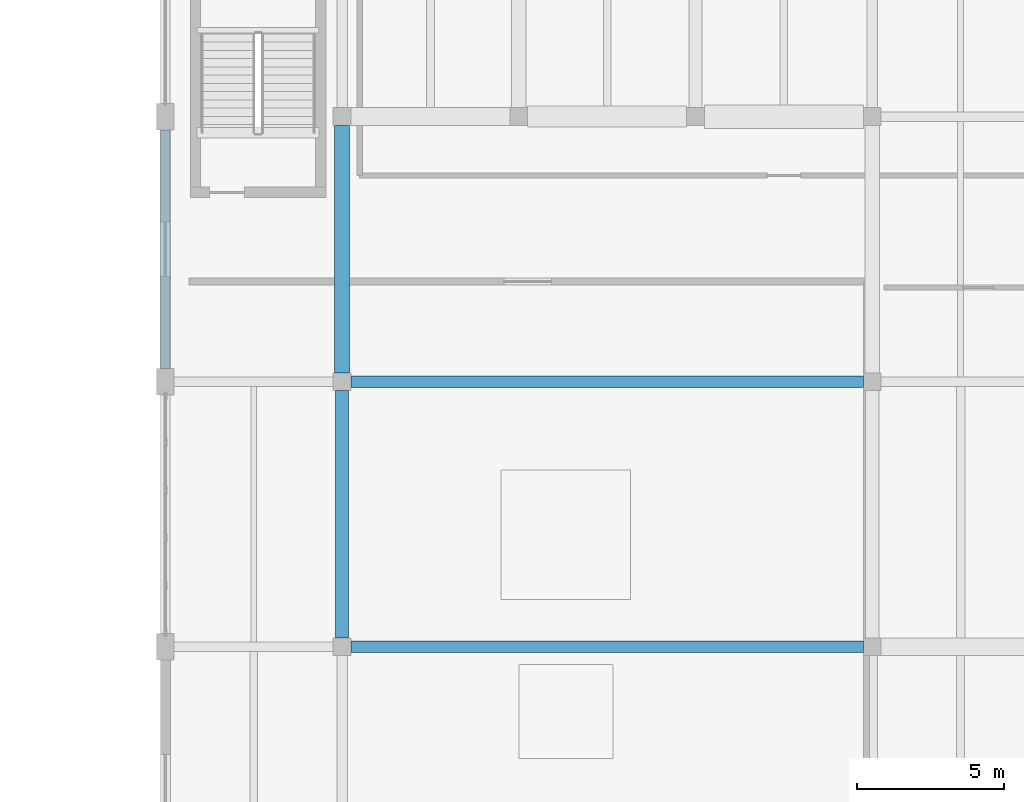
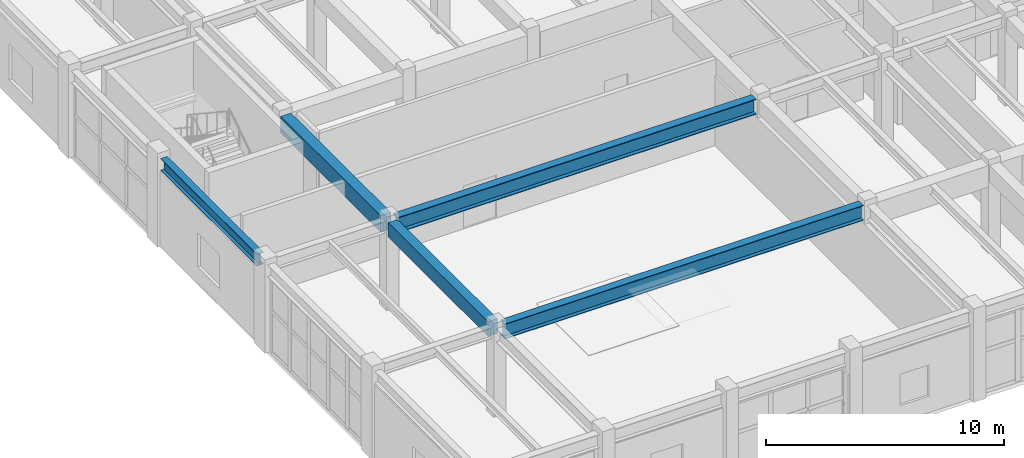
# One storey, part 10 of 85: 5 beams.
"""IFC4 building model written with IfcOpenShell, lengths in metres."""

from ifc_helpers import new_model, si_unit, direction, frame, origin, origin_2d, place, context, subcontext, project, spatial, rectangle, i_section, extrude, material, material_profile, profile_set, type_object, element, save


model = new_model("IFC4")

# Units and contexts
model_context = context("Model", 3, precision=1e-05, world=origin(), true_north=direction((0.0, 1.0)))
body_context = subcontext(model_context, "Body", "Model", "MODEL_VIEW")
ifc_project = project(units=[si_unit("LENGTHUNIT", "METRE"), si_unit("AREAUNIT", "SQUARE_METRE"), si_unit("VOLUMEUNIT", "CUBIC_METRE"), si_unit("PLANEANGLEUNIT", "RADIAN"), si_unit("MASSUNIT", "GRAM", prefix="KILO")], contexts=[model_context])

# Site, building, storey
site_placement = place(None, origin())
site = spatial("IfcSite", under=ifc_project, at=site_placement, CompositionType="ELEMENT")
building_placement = place(site_placement, origin())
building = spatial("IfcBuilding", under=site, at=building_placement, Name="Vaelkrest Opera House", CompositionType="ELEMENT")
storey_placement = place(building_placement, frame((0.0, 0.0, 10.199951171875)))
storey = spatial("IfcBuildingStorey", under=building, at=storey_placement, Name="L02", CompositionType="ELEMENT", Elevation=10.199951171875)

# Beams
ifc_material_1 = material(Name="Concrete C50/60", Category="concrete")
ifc_material_profile_1 = material_profile(ifc_material_1, rectangle(XDim=0.449951171875, YDim=0.75, at=origin_2d()), Name="RCB450X750")
ifc_profile_set_1 = profile_set([ifc_material_profile_1], Name="Concrete C50/60")
beam_type_1 = type_object("IfcBeamType", Name="B02", PredefinedType="BEAM", material=ifc_profile_set_1)
beam_1_placement = place(storey_placement, frame((-69.60009765625, -7.5, 4.130126953125), z_axis=(0.0, 1.0, 0.0), x_axis=(-1.0, 0.0, 0.0)))
element("IfcBeam", 1, at=beam_1_placement, inside=storey, type_object=beam_type_1, Name="Beam BM-V3-L02-1671", PredefinedType="BEAM", context=body_context, shape_type="SweptSolid", body=[
    extrude(rectangle(XDim=0.449951171875, YDim=0.75, at=origin_2d()), origin(), (0.0, 0.0, 1.0), 8.39990234375),
])
ifc_material_profile_2 = material_profile(ifc_material_1, rectangle(XDim=0.5, YDim=0.85009765625, at=origin_2d()), Name="RCB500X850")
ifc_profile_set_2 = profile_set([ifc_material_profile_2], Name="Concrete C50/60")
beam_type_2 = type_object("IfcBeamType", Name="B03", PredefinedType="BEAM", material=ifc_profile_set_2)
beam_2_placement = place(storey_placement, frame((-69.60009765625, 1.5, 4.080078125), z_axis=(0.0, 1.0, 0.0), x_axis=(-1.0, 0.0, 0.0)))
element("IfcBeam", 2, at=beam_2_placement, inside=storey, type_object=beam_type_2, Name="Beam BM-V3-L02-1672", PredefinedType="BEAM", context=body_context, shape_type="SweptSolid", body=[
    extrude(rectangle(XDim=0.5, YDim=0.85009765625, at=origin_2d()), origin(), (0.0, 0.0, 1.0), 8.39990234375),
])
ifc_material_2 = material(Name="Steel A992 Gr50", Category="steel")
ifc_material_profile_3 = material_profile(ifc_material_2, i_section(OverallWidth=0.381103515625, OverallDepth=0.77294921875, WebThickness=0.0166015625, FlangeThickness=0.027099609375, at=origin_2d()), Name="W30X173")
ifc_profile_set_3 = profile_set([ifc_material_profile_3], Name="Steel A992 Gr50")
beam_type_3 = type_object("IfcBeamType", Name="B11", PredefinedType="BEAM", material=ifc_profile_set_3)
beam_3_placement = place(storey_placement, frame((-69.300048828125, -7.800048828125, 4.11865234375), z_axis=(1.0, 0.0, 0.0), x_axis=(0.0, 1.0, 0.0)))
element("IfcBeam", 3, at=beam_3_placement, inside=storey, type_object=beam_type_3, Name="Beam BM-V3-L02-1629", PredefinedType="BEAM", context=body_context, shape_type="SweptSolid", body=[
    extrude(i_section(OverallWidth=0.381103515625, OverallDepth=0.77294921875, WebThickness=0.0166015625, FlangeThickness=0.027099609375, at=origin_2d()), origin(), (0.0, 0.0, 1.0), 17.400146484375),
])
ifc_material_profile_4 = material_profile(ifc_material_2, i_section(OverallWidth=0.384033203125, OverallDepth=0.785888671875, WebThickness=0.019775390625, FlangeThickness=0.033447265625, at=origin_2d()), Name="W30X211")
ifc_profile_set_4 = profile_set([ifc_material_profile_4], Name="Steel A992 Gr50")
beam_type_4 = type_object("IfcBeamType", Name="B16", PredefinedType="BEAM", material=ifc_profile_set_4)
beam_4_placement = place(storey_placement, frame((-69.300048828125, 1.199951171875, 4.112060546875), z_axis=(1.0, 0.0, 0.0), x_axis=(0.0, 1.0, 0.0)))
element("IfcBeam", 4, at=beam_4_placement, inside=storey, type_object=beam_type_4, Name="Beam BM-V3-L02-1634", PredefinedType="BEAM", context=body_context, shape_type="SweptSolid", body=[
    extrude(i_section(OverallWidth=0.384033203125, OverallDepth=0.785888671875, WebThickness=0.019775390625, FlangeThickness=0.033447265625, at=origin_2d()), origin(), (0.0, 0.0, 1.0), 17.400146484375),
])
ifc_material_profile_5 = material_profile(ifc_material_2, i_section(OverallWidth=0.323974609375, OverallDepth=0.611083984375, WebThickness=0.0126953125, FlangeThickness=0.01904296875, at=origin_2d()), Name="W24X104")
ifc_profile_set_5 = profile_set([ifc_material_profile_5], Name="Steel A992 Gr50")
beam_type_5 = type_object("IfcBeamType", Name="SP01", PredefinedType="SPANDREL", material=ifc_profile_set_5)
beam_5_placement = place(storey_placement, frame((-75.60009765625, 1.64990234375, 4.199462890625), z_axis=(0.0, 1.0, 0.0), x_axis=(-1.0, 0.0, 0.0)))
element("IfcBeam", 5, at=beam_5_placement, inside=storey, type_object=beam_type_5, Name="Beam BM-V3-L02-1666", PredefinedType="SPANDREL", context=body_context, shape_type="SweptSolid", body=[
    extrude(i_section(OverallWidth=0.323974609375, OverallDepth=0.611083984375, WebThickness=0.0126953125, FlangeThickness=0.01904296875, at=origin_2d()), origin(), (0.0, 0.0, 1.0), 8.10009765625),
])

save(model, "model.ifc")
